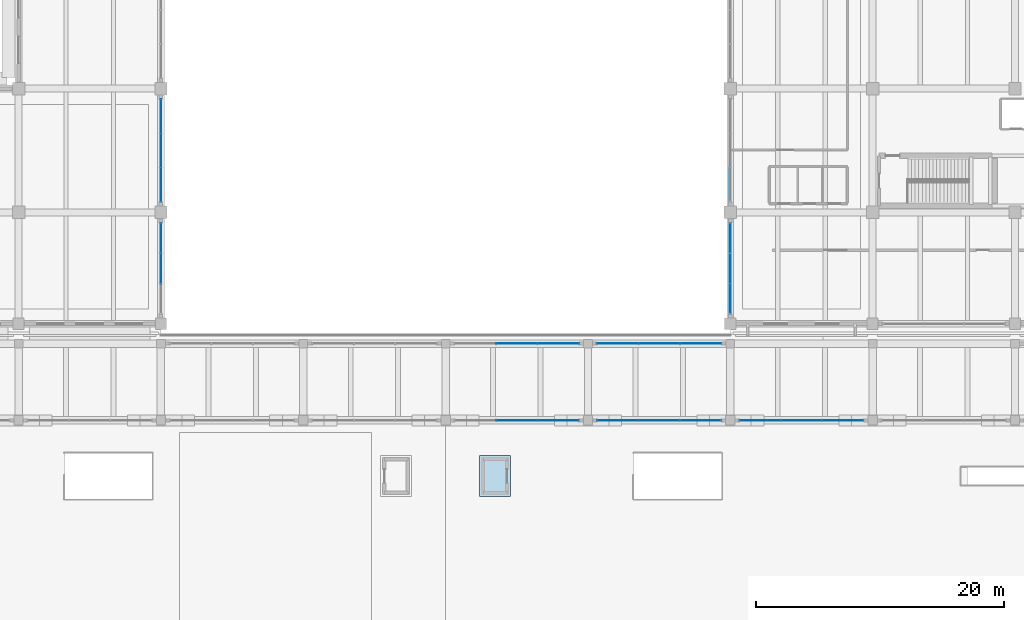
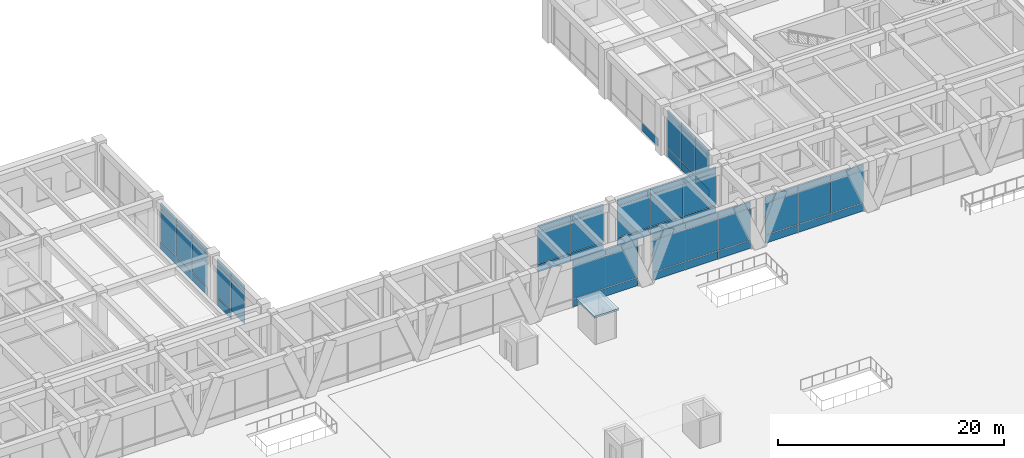
# One storey, part 119 of 148: 63 plates, 1 slab, 9 elements without a shape of their own.
"""IFC4 building model written with IfcOpenShell, lengths in metres."""

from ifc_helpers import new_model, si_unit, direction, frame, origin, origin_2d, place, context, subcontext, project, spatial, polyline, rectangle, outline, extrude, material, layer, layer_set, type_object, element, aggregate, save


model = new_model("IFC4")

# Units and contexts
model_context = context("Model", 3, precision=1e-05, world=origin(), true_north=direction((0.0, 1.0)))
body_context = subcontext(model_context, "Body", "Model", "MODEL_VIEW")
ifc_project = project(units=[si_unit("LENGTHUNIT", "METRE"), si_unit("AREAUNIT", "SQUARE_METRE"), si_unit("VOLUMEUNIT", "CUBIC_METRE"), si_unit("PLANEANGLEUNIT", "RADIAN"), si_unit("MASSUNIT", "GRAM", prefix="KILO")], contexts=[model_context])

# Site, building, storey
site_placement = place(None, origin())
site = spatial("IfcSite", under=ifc_project, at=site_placement, CompositionType="ELEMENT")
building_placement = place(site_placement, origin())
building = spatial("IfcBuilding", under=site, at=building_placement, Name="Ologun Quay Terminus", CompositionType="ELEMENT")
storey_placement = place(building_placement, frame((0.0, 0.0, 8.39990234375)))
storey = spatial("IfcBuildingStorey", under=building, at=storey_placement, Name="L02", CompositionType="ELEMENT", Elevation=8.39990234375)

# Curtain wall, plates
ifc_material_1 = material(Name="Aluminium 6063-T6", Category="aluminium")
curtain_wall_type_1 = type_object("IfcCurtainWallType", Name="Courtyard Overlook Concourse Curtain Wall 10700x4750", PredefinedType="USERDEFINED", material=ifc_material_1)
curtain_wall_1_placement = place(storey_placement, origin())
curtain_wall_1 = element("IfcCurtainWall", 1, at=curtain_wall_1_placement, inside=storey, type_object=curtain_wall_type_1, Name="CW-12 Curtain Wall CW-L02-082", ObjectType="UNITISED CURTAIN WALL", PredefinedType="USERDEFINED")
ifc_material_2 = material(Name="Aluminium 6063-T6", Category="aluminium")
ifc_layer_1 = layer(ifc_material_2, 0.06005859375)
ifc_layer_set_1 = layer_set([ifc_layer_1], Name="Aluminium 6063-T6")
plate_type_1 = type_object("IfcPlateType", Name="Anodised Bronze Spandrel Panel 60", PredefinedType="CURTAIN_PANEL", material=ifc_layer_set_1)
plate_1_placement = place(storey_placement, frame((97.75, 84.199951171875, 0.0302734375), z_axis=(0.0, 0.0, 1.0), x_axis=(1.0, 0.0, 0.0)))
plate_1 = element("IfcPlate", 2, at=plate_1_placement, type_object=plate_type_1, Name="CW-L02-082 Panel B2-1", PredefinedType="CURTAIN_PANEL", context=body_context, shape_type="SweptSolid", body=[
    extrude(rectangle(XDim=3.353271484375, YDim=0.06005859375, at=origin_2d()), origin(), (0.0, 0.0, 1.0), 0.840087890625),
])
plate_2_placement = place(storey_placement, frame((101.103271484375, 84.199951171875, 0.0302734375), z_axis=(0.0, 0.0, 1.0), x_axis=(1.0, 0.0, 0.0)))
plate_2 = element("IfcPlate", 3, at=plate_2_placement, type_object=plate_type_1, Name="CW-L02-082 Panel B3-1", PredefinedType="CURTAIN_PANEL", context=body_context, shape_type="SweptSolid", body=[
    extrude(rectangle(XDim=3.353271484375, YDim=0.06005859375, at=origin_2d()), origin(), (0.0, 0.0, 1.0), 0.840087890625),
])

curtain_wall_2_placement = place(storey_placement, origin())
curtain_wall_2 = element("IfcCurtainWall", 4, at=curtain_wall_2_placement, inside=storey, type_object=curtain_wall_type_1, Name="CW-12 Curtain Wall CW-L02-083", ObjectType="UNITISED CURTAIN WALL", PredefinedType="USERDEFINED")
plate_3_placement = place(storey_placement, frame((105.896728515625, 84.199951171875, 0.0302734375), z_axis=(0.0, 0.0, 1.0), x_axis=(1.0, 0.0, 0.0)))
plate_3 = element("IfcPlate", 5, at=plate_3_placement, type_object=plate_type_1, Name="CW-L02-083 Panel B1-1", PredefinedType="CURTAIN_PANEL", context=body_context, shape_type="SweptSolid", body=[
    extrude(rectangle(XDim=3.353271484375, YDim=0.06005859375, at=origin_2d()), origin(), (0.0, 0.0, 1.0), 0.840087890625),
])
plate_4_placement = place(storey_placement, frame((109.25, 84.199951171875, 0.0302734375), z_axis=(0.0, 0.0, 1.0), x_axis=(1.0, 0.0, 0.0)))
plate_4 = element("IfcPlate", 6, at=plate_4_placement, type_object=plate_type_1, Name="CW-L02-083 Panel B2-1", PredefinedType="CURTAIN_PANEL", context=body_context, shape_type="SweptSolid", body=[
    extrude(rectangle(XDim=3.353271484375, YDim=0.06005859375, at=origin_2d()), origin(), (0.0, 0.0, 1.0), 0.840087890625),
])
plate_5_placement = place(storey_placement, frame((112.603271484375, 84.199951171875, 0.0302734375), z_axis=(0.0, 0.0, 1.0), x_axis=(1.0, 0.0, 0.0)))
plate_5 = element("IfcPlate", 7, at=plate_5_placement, type_object=plate_type_1, Name="CW-L02-083 Panel B3-1", PredefinedType="CURTAIN_PANEL", context=body_context, shape_type="SweptSolid", body=[
    extrude(rectangle(XDim=3.353271484375, YDim=0.06005859375, at=origin_2d()), origin(), (0.0, 0.0, 1.0), 0.840087890625),
])

# Curtain wall, plate
ifc_material_3 = material(Name="Aluminium 6063-T6", Category="aluminium")
curtain_wall_type_2 = type_object("IfcCurtainWallType", Name="Rain-Garden West Courtyard Curtain Wall L02 8200x5000", PredefinedType="USERDEFINED", material=ifc_material_3)
curtain_wall_3_placement = place(storey_placement, origin())
curtain_wall_3 = element("IfcCurtainWall", 8, at=curtain_wall_3_placement, inside=storey, type_object=curtain_wall_type_2, Name="CW-15 Curtain Wall CW-L02-105", ObjectType="UNITISED CURTAIN WALL", PredefinedType="USERDEFINED")
plate_6_placement = place(storey_placement, frame((69.0, 92.711669921875, 0.0302734375), z_axis=(0.0, 0.0, 1.0), x_axis=(0.0, 1.0, 0.0)))
plate_6 = element("IfcPlate", 9, at=plate_6_placement, type_object=plate_type_1, Name="CW-L02-105 Panel B3-1", PredefinedType="CURTAIN_PANEL", context=body_context, shape_type="SweptSolid", body=[
    extrude(rectangle(XDim=2.436767578125, YDim=0.06005859375, at=origin_2d()), origin(), (0.0, 0.0, 1.0), 0.840087890625),
])

# Curtain wall, plates
curtain_wall_4_placement = place(storey_placement, origin())
curtain_wall_4 = element("IfcCurtainWall", 10, at=curtain_wall_4_placement, inside=storey, type_object=curtain_wall_type_2, Name="CW-15 Curtain Wall CW-L02-106", ObjectType="UNITISED CURTAIN WALL", PredefinedType="USERDEFINED")
plate_7_placement = place(storey_placement, frame((69.0, 97.046630859375, 0.0302734375), z_axis=(0.0, 0.0, 1.0), x_axis=(0.0, 1.0, 0.0)))
plate_7 = element("IfcPlate", 11, at=plate_7_placement, type_object=plate_type_1, Name="CW-L02-106 Panel B1-1", PredefinedType="CURTAIN_PANEL", context=body_context, shape_type="SweptSolid", body=[
    extrude(rectangle(XDim=2.75341796875, YDim=0.06005859375, at=origin_2d()), origin(), (0.0, 0.0, 1.0), 0.840087890625),
])
plate_8_placement = place(storey_placement, frame((69.0, 99.800048828125, 0.0302734375), z_axis=(0.0, 0.0, 1.0), x_axis=(0.0, 1.0, 0.0)))
plate_8 = element("IfcPlate", 12, at=plate_8_placement, type_object=plate_type_1, Name="CW-L02-106 Panel B2-1", PredefinedType="CURTAIN_PANEL", context=body_context, shape_type="SweptSolid", body=[
    extrude(rectangle(XDim=2.75341796875, YDim=0.06005859375, at=origin_2d()), origin(), (0.0, 0.0, 1.0), 0.840087890625),
])
plate_9_placement = place(storey_placement, frame((69.0, 102.55322265625, 0.0302734375), z_axis=(0.0, 0.0, 1.0), x_axis=(0.0, 1.0, 0.0)))
plate_9 = element("IfcPlate", 13, at=plate_9_placement, type_object=plate_type_1, Name="CW-L02-106 Panel B3-1", PredefinedType="CURTAIN_PANEL", context=body_context, shape_type="SweptSolid", body=[
    extrude(rectangle(XDim=2.75341796875, YDim=0.06005859375, at=origin_2d()), origin(), (0.0, 0.0, 1.0), 0.840087890625),
])

# Plate
ifc_material_4 = material(Name="Glass", Category="glass")
ifc_layer_2 = layer(ifc_material_4, 0.035888671875)
ifc_layer_set_2 = layer_set([ifc_layer_2], Name="Glass")
plate_type_2 = type_object("IfcPlateType", Name="High-Selectivity Harbour Glazed Panel 36", PredefinedType="CURTAIN_PANEL", material=ifc_layer_set_2)
plate_10_placement = place(storey_placement, frame((97.75, 84.199951171875, 0.93017578125), z_axis=(0.0, 0.0, 1.0), x_axis=(1.0, 0.0, 0.0)))
plate_10 = element("IfcPlate", 14, at=plate_10_placement, type_object=plate_type_2, Name="CW-L02-082 Panel B2-2", PredefinedType="CURTAIN_PANEL", context=body_context, shape_type="SweptSolid", body=[
    extrude(rectangle(XDim=3.353271484375, YDim=0.035888671875, at=origin_2d()), origin(), (0.0, 0.0, 1.0), 3.43994140625),
])

plate_11_placement = place(storey_placement, frame((97.75, 84.199951171875, 4.43017578125), z_axis=(0.0, 0.0, 1.0), x_axis=(1.0, 0.0, 0.0)))
plate_11 = element("IfcPlate", 15, at=plate_11_placement, type_object=plate_type_2, Name="CW-L02-082 Panel B2-3", PredefinedType="CURTAIN_PANEL", context=body_context, shape_type="SweptSolid", body=[
    extrude(rectangle(XDim=3.353271484375, YDim=0.035888671875, at=origin_2d()), origin(), (0.0, 0.0, 1.0), 0.639892578125),
])

plate_12_placement = place(storey_placement, frame((101.103271484375, 84.199951171875, 0.93017578125), z_axis=(0.0, 0.0, 1.0), x_axis=(1.0, 0.0, 0.0)))
plate_12 = element("IfcPlate", 16, at=plate_12_placement, type_object=plate_type_2, Name="CW-L02-082 Panel B3-2", PredefinedType="CURTAIN_PANEL", context=body_context, shape_type="SweptSolid", body=[
    extrude(rectangle(XDim=3.353271484375, YDim=0.035888671875, at=origin_2d()), origin(), (0.0, 0.0, 1.0), 3.43994140625),
])

plate_13_placement = place(storey_placement, frame((101.103271484375, 84.199951171875, 4.43017578125), z_axis=(0.0, 0.0, 1.0), x_axis=(1.0, 0.0, 0.0)))
plate_13 = element("IfcPlate", 17, at=plate_13_placement, type_object=plate_type_2, Name="CW-L02-082 Panel B3-3", PredefinedType="CURTAIN_PANEL", context=body_context, shape_type="SweptSolid", body=[
    extrude(rectangle(XDim=3.353271484375, YDim=0.035888671875, at=origin_2d()), origin(), (0.0, 0.0, 1.0), 0.639892578125),
])

aggregate(curtain_wall_1, [plate_1, plate_10, plate_11, plate_2, plate_12, plate_13])

plate_14_placement = place(storey_placement, frame((105.896728515625, 84.199951171875, 0.93017578125), z_axis=(0.0, 0.0, 1.0), x_axis=(1.0, 0.0, 0.0)))
plate_14 = element("IfcPlate", 18, at=plate_14_placement, type_object=plate_type_2, Name="CW-L02-083 Panel B1-2", PredefinedType="CURTAIN_PANEL", context=body_context, shape_type="SweptSolid", body=[
    extrude(rectangle(XDim=3.353271484375, YDim=0.035888671875, at=origin_2d()), origin(), (0.0, 0.0, 1.0), 3.43994140625),
])

plate_15_placement = place(storey_placement, frame((105.896728515625, 84.199951171875, 4.43017578125), z_axis=(0.0, 0.0, 1.0), x_axis=(1.0, 0.0, 0.0)))
plate_15 = element("IfcPlate", 19, at=plate_15_placement, type_object=plate_type_2, Name="CW-L02-083 Panel B1-3", PredefinedType="CURTAIN_PANEL", context=body_context, shape_type="SweptSolid", body=[
    extrude(rectangle(XDim=3.353271484375, YDim=0.035888671875, at=origin_2d()), origin(), (0.0, 0.0, 1.0), 0.639892578125),
])

plate_16_placement = place(storey_placement, frame((109.25, 84.199951171875, 0.93017578125), z_axis=(0.0, 0.0, 1.0), x_axis=(1.0, 0.0, 0.0)))
plate_16 = element("IfcPlate", 20, at=plate_16_placement, type_object=plate_type_2, Name="CW-L02-083 Panel B2-2", PredefinedType="CURTAIN_PANEL", context=body_context, shape_type="SweptSolid", body=[
    extrude(rectangle(XDim=3.353271484375, YDim=0.035888671875, at=origin_2d()), origin(), (0.0, 0.0, 1.0), 3.43994140625),
])

plate_17_placement = place(storey_placement, frame((109.25, 84.199951171875, 4.43017578125), z_axis=(0.0, 0.0, 1.0), x_axis=(1.0, 0.0, 0.0)))
plate_17 = element("IfcPlate", 21, at=plate_17_placement, type_object=plate_type_2, Name="CW-L02-083 Panel B2-3", PredefinedType="CURTAIN_PANEL", context=body_context, shape_type="SweptSolid", body=[
    extrude(rectangle(XDim=3.353271484375, YDim=0.035888671875, at=origin_2d()), origin(), (0.0, 0.0, 1.0), 0.639892578125),
])

plate_18_placement = place(storey_placement, frame((112.603271484375, 84.199951171875, 0.93017578125), z_axis=(0.0, 0.0, 1.0), x_axis=(1.0, 0.0, 0.0)))
plate_18 = element("IfcPlate", 22, at=plate_18_placement, type_object=plate_type_2, Name="CW-L02-083 Panel B3-2", PredefinedType="CURTAIN_PANEL", context=body_context, shape_type="SweptSolid", body=[
    extrude(rectangle(XDim=3.353271484375, YDim=0.035888671875, at=origin_2d()), origin(), (0.0, 0.0, 1.0), 3.43994140625),
])

plate_19_placement = place(storey_placement, frame((112.603271484375, 84.199951171875, 4.43017578125), z_axis=(0.0, 0.0, 1.0), x_axis=(1.0, 0.0, 0.0)))
plate_19 = element("IfcPlate", 23, at=plate_19_placement, type_object=plate_type_2, Name="CW-L02-083 Panel B3-3", PredefinedType="CURTAIN_PANEL", context=body_context, shape_type="SweptSolid", body=[
    extrude(rectangle(XDim=3.353271484375, YDim=0.035888671875, at=origin_2d()), origin(), (0.0, 0.0, 1.0), 0.639892578125),
])

aggregate(curtain_wall_2, [plate_3, plate_14, plate_15, plate_4, plate_16, plate_17, plate_5, plate_18, plate_19])

plate_20_placement = place(storey_placement, frame((69.0, 90.27490234375, 0.93017578125), z_axis=(0.0, 0.0, 1.0), x_axis=(0.0, 1.0, 0.0)))
plate_20 = element("IfcPlate", 24, at=plate_20_placement, type_object=plate_type_2, Name="CW-L02-105 Panel B2-2", PredefinedType="CURTAIN_PANEL", context=body_context, shape_type="SweptSolid", body=[
    extrude(rectangle(XDim=2.436767578125, YDim=0.035888671875, at=origin_2d()), origin(), (0.0, 0.0, 1.0), 3.469970703125),
])

plate_21_placement = place(storey_placement, frame((69.0, 90.27490234375, 4.4599609375), z_axis=(0.0, 0.0, 1.0), x_axis=(0.0, 1.0, 0.0)))
plate_21 = element("IfcPlate", 25, at=plate_21_placement, type_object=plate_type_2, Name="CW-L02-105 Panel B2-3", PredefinedType="CURTAIN_PANEL", context=body_context, shape_type="SweptSolid", body=[
    extrude(rectangle(XDim=2.436767578125, YDim=0.035888671875, at=origin_2d()), origin(), (0.0, 0.0, 1.0), 0.639892578125),
])

plate_22_placement = place(storey_placement, frame((69.0, 92.711669921875, 0.93017578125), z_axis=(0.0, 0.0, 1.0), x_axis=(0.0, 1.0, 0.0)))
plate_22 = element("IfcPlate", 26, at=plate_22_placement, type_object=plate_type_2, Name="CW-L02-105 Panel B3-2", PredefinedType="CURTAIN_PANEL", context=body_context, shape_type="SweptSolid", body=[
    extrude(rectangle(XDim=2.436767578125, YDim=0.035888671875, at=origin_2d()), origin(), (0.0, 0.0, 1.0), 3.469970703125),
])

plate_23_placement = place(storey_placement, frame((69.0, 92.711669921875, 4.4599609375), z_axis=(0.0, 0.0, 1.0), x_axis=(0.0, 1.0, 0.0)))
plate_23 = element("IfcPlate", 27, at=plate_23_placement, type_object=plate_type_2, Name="CW-L02-105 Panel B3-3", PredefinedType="CURTAIN_PANEL", context=body_context, shape_type="SweptSolid", body=[
    extrude(rectangle(XDim=2.436767578125, YDim=0.035888671875, at=origin_2d()), origin(), (0.0, 0.0, 1.0), 0.639892578125),
])

aggregate(curtain_wall_3, [plate_20, plate_21, plate_6, plate_22, plate_23])

plate_24_placement = place(storey_placement, frame((69.0, 97.046630859375, 0.93017578125), z_axis=(0.0, 0.0, 1.0), x_axis=(0.0, 1.0, 0.0)))
plate_24 = element("IfcPlate", 28, at=plate_24_placement, type_object=plate_type_2, Name="CW-L02-106 Panel B1-2", PredefinedType="CURTAIN_PANEL", context=body_context, shape_type="SweptSolid", body=[
    extrude(rectangle(XDim=2.75341796875, YDim=0.035888671875, at=origin_2d()), origin(), (0.0, 0.0, 1.0), 3.469970703125),
])

plate_25_placement = place(storey_placement, frame((69.0, 97.046630859375, 4.4599609375), z_axis=(0.0, 0.0, 1.0), x_axis=(0.0, 1.0, 0.0)))
plate_25 = element("IfcPlate", 29, at=plate_25_placement, type_object=plate_type_2, Name="CW-L02-106 Panel B1-3", PredefinedType="CURTAIN_PANEL", context=body_context, shape_type="SweptSolid", body=[
    extrude(rectangle(XDim=2.75341796875, YDim=0.035888671875, at=origin_2d()), origin(), (0.0, 0.0, 1.0), 0.639892578125),
])

plate_26_placement = place(storey_placement, frame((69.0, 99.800048828125, 0.93017578125), z_axis=(0.0, 0.0, 1.0), x_axis=(0.0, 1.0, 0.0)))
plate_26 = element("IfcPlate", 30, at=plate_26_placement, type_object=plate_type_2, Name="CW-L02-106 Panel B2-2", PredefinedType="CURTAIN_PANEL", context=body_context, shape_type="SweptSolid", body=[
    extrude(rectangle(XDim=2.75341796875, YDim=0.035888671875, at=origin_2d()), origin(), (0.0, 0.0, 1.0), 3.469970703125),
])

plate_27_placement = place(storey_placement, frame((69.0, 99.800048828125, 4.4599609375), z_axis=(0.0, 0.0, 1.0), x_axis=(0.0, 1.0, 0.0)))
plate_27 = element("IfcPlate", 31, at=plate_27_placement, type_object=plate_type_2, Name="CW-L02-106 Panel B2-3", PredefinedType="CURTAIN_PANEL", context=body_context, shape_type="SweptSolid", body=[
    extrude(rectangle(XDim=2.75341796875, YDim=0.035888671875, at=origin_2d()), origin(), (0.0, 0.0, 1.0), 0.639892578125),
])

plate_28_placement = place(storey_placement, frame((69.0, 102.55322265625, 0.93017578125), z_axis=(0.0, 0.0, 1.0), x_axis=(0.0, 1.0, 0.0)))
plate_28 = element("IfcPlate", 32, at=plate_28_placement, type_object=plate_type_2, Name="CW-L02-106 Panel B3-2", PredefinedType="CURTAIN_PANEL", context=body_context, shape_type="SweptSolid", body=[
    extrude(rectangle(XDim=2.75341796875, YDim=0.035888671875, at=origin_2d()), origin(), (0.0, 0.0, 1.0), 3.469970703125),
])

plate_29_placement = place(storey_placement, frame((69.0, 102.55322265625, 4.4599609375), z_axis=(0.0, 0.0, 1.0), x_axis=(0.0, 1.0, 0.0)))
plate_29 = element("IfcPlate", 33, at=plate_29_placement, type_object=plate_type_2, Name="CW-L02-106 Panel B3-3", PredefinedType="CURTAIN_PANEL", context=body_context, shape_type="SweptSolid", body=[
    extrude(rectangle(XDim=2.75341796875, YDim=0.035888671875, at=origin_2d()), origin(), (0.0, 0.0, 1.0), 0.639892578125),
])

aggregate(curtain_wall_4, [plate_7, plate_24, plate_25, plate_8, plate_26, plate_27, plate_9, plate_28, plate_29])

# Curtain wall, plates
ifc_material_5 = material(Name="Aluminium 6063-T6", Category="aluminium")
curtain_wall_type_3 = type_object("IfcCurtainWallType", Name="Rain-Garden East Courtyard Curtain Wall L02 9200x5000", PredefinedType="USERDEFINED", material=ifc_material_5)
curtain_wall_5_placement = place(storey_placement, origin())
curtain_wall_5 = element("IfcCurtainWall", 34, at=curtain_wall_5_placement, inside=storey, type_object=curtain_wall_type_3, Name="CW-19 Curtain Wall CW-L02-135", ObjectType="UNITISED CURTAIN WALL", PredefinedType="USERDEFINED")
plate_30_placement = place(storey_placement, frame((115.0, 87.83837890625, 0.93017578125), z_axis=(0.0, 0.0, 1.0), x_axis=(0.0, 1.0, 0.0)))
plate_30 = element("IfcPlate", 35, at=plate_30_placement, type_object=plate_type_2, Name="CW-L02-135 Panel B1-2", PredefinedType="CURTAIN_PANEL", context=body_context, shape_type="SweptSolid", body=[
    extrude(rectangle(XDim=2.436767578125, YDim=0.035888671875, at=origin_2d()), origin(), (0.0, 0.0, 1.0), 3.469970703125),
])
plate_31_placement = place(storey_placement, frame((115.0, 87.83837890625, 4.4599609375), z_axis=(0.0, 0.0, 1.0), x_axis=(0.0, 1.0, 0.0)))
plate_31 = element("IfcPlate", 36, at=plate_31_placement, type_object=plate_type_2, Name="CW-L02-135 Panel B1-3", PredefinedType="CURTAIN_PANEL", context=body_context, shape_type="SweptSolid", body=[
    extrude(rectangle(XDim=2.436767578125, YDim=0.035888671875, at=origin_2d()), origin(), (0.0, 0.0, 1.0), 0.639892578125),
])
plate_32_placement = place(storey_placement, frame((115.0, 90.27490234375, 0.93017578125), z_axis=(0.0, 0.0, 1.0), x_axis=(0.0, 1.0, 0.0)))
plate_32 = element("IfcPlate", 37, at=plate_32_placement, type_object=plate_type_2, Name="CW-L02-135 Panel B2-2", PredefinedType="CURTAIN_PANEL", context=body_context, shape_type="SweptSolid", body=[
    extrude(rectangle(XDim=2.436767578125, YDim=0.035888671875, at=origin_2d()), origin(), (0.0, 0.0, 1.0), 3.469970703125),
])
plate_33_placement = place(storey_placement, frame((115.0, 90.27490234375, 4.4599609375), z_axis=(0.0, 0.0, 1.0), x_axis=(0.0, 1.0, 0.0)))
plate_33 = element("IfcPlate", 38, at=plate_33_placement, type_object=plate_type_2, Name="CW-L02-135 Panel B2-3", PredefinedType="CURTAIN_PANEL", context=body_context, shape_type="SweptSolid", body=[
    extrude(rectangle(XDim=2.436767578125, YDim=0.035888671875, at=origin_2d()), origin(), (0.0, 0.0, 1.0), 0.639892578125),
])
plate_34_placement = place(storey_placement, frame((115.0, 92.711669921875, 0.93017578125), z_axis=(0.0, 0.0, 1.0), x_axis=(0.0, 1.0, 0.0)))
plate_34 = element("IfcPlate", 39, at=plate_34_placement, type_object=plate_type_2, Name="CW-L02-135 Panel B3-2", PredefinedType="CURTAIN_PANEL", context=body_context, shape_type="SweptSolid", body=[
    extrude(rectangle(XDim=2.436767578125, YDim=0.035888671875, at=origin_2d()), origin(), (0.0, 0.0, 1.0), 3.469970703125),
])
plate_35_placement = place(storey_placement, frame((115.0, 92.711669921875, 4.4599609375), z_axis=(0.0, 0.0, 1.0), x_axis=(0.0, 1.0, 0.0)))
plate_35 = element("IfcPlate", 40, at=plate_35_placement, type_object=plate_type_2, Name="CW-L02-135 Panel B3-3", PredefinedType="CURTAIN_PANEL", context=body_context, shape_type="SweptSolid", body=[
    extrude(rectangle(XDim=2.436767578125, YDim=0.035888671875, at=origin_2d()), origin(), (0.0, 0.0, 1.0), 0.639892578125),
])

ifc_material_6 = material(Name="Aluminium 6063-T6", Category="aluminium")
curtain_wall_type_4 = type_object("IfcCurtainWallType", Name="Train Shed North Clerestory Curtain Wall 10700x4850", PredefinedType="USERDEFINED", material=ifc_material_6)
curtain_wall_6_placement = place(storey_placement, origin())
curtain_wall_6 = element("IfcCurtainWall", 41, at=curtain_wall_6_placement, inside=storey, type_object=curtain_wall_type_4, Name="CW-09 Curtain Wall CW-L02-061", ObjectType="UNITISED CURTAIN WALL", PredefinedType="USERDEFINED")
ifc_material_7 = material(Name="Aluminium 6063-T6", Category="aluminium")
ifc_layer_3 = layer(ifc_material_7, 0.050048828125)
ifc_layer_set_3 = layer_set([ifc_layer_3], Name="Aluminium 6063-T6")
plate_type_3 = type_object("IfcPlateType", Name="Insulated Aluminium Shadow-Box Spandrel 50", PredefinedType="CURTAIN_PANEL", material=ifc_layer_set_3)
plate_36_placement = place(storey_placement, frame((97.75, 78.0, 0.0302734375), z_axis=(0.0, 0.0, 1.0), x_axis=(1.0, 0.0, 0.0)))
plate_36 = element("IfcPlate", 42, at=plate_36_placement, type_object=plate_type_3, Name="CW-L02-061 Panel B2-1", PredefinedType="CURTAIN_PANEL", context=body_context, shape_type="SweptSolid", body=[
    extrude(rectangle(XDim=3.336669921875, YDim=0.050048828125, at=origin_2d()), origin(), (0.0, 0.0, 1.0), 0.840087890625),
])
plate_37_placement = place(storey_placement, frame((101.086669921875, 78.0, 0.0302734375), z_axis=(0.0, 0.0, 1.0), x_axis=(1.0, 0.0, 0.0)))
plate_37 = element("IfcPlate", 43, at=plate_37_placement, type_object=plate_type_3, Name="CW-L02-061 Panel B3-1", PredefinedType="CURTAIN_PANEL", context=body_context, shape_type="SweptSolid", body=[
    extrude(rectangle(XDim=3.336669921875, YDim=0.050048828125, at=origin_2d()), origin(), (0.0, 0.0, 1.0), 0.840087890625),
])

curtain_wall_7_placement = place(storey_placement, origin())
curtain_wall_7 = element("IfcCurtainWall", 44, at=curtain_wall_7_placement, inside=storey, type_object=curtain_wall_type_4, Name="CW-09 Curtain Wall CW-L02-063", ObjectType="UNITISED CURTAIN WALL", PredefinedType="USERDEFINED")
plate_38_placement = place(storey_placement, frame((105.913330078125, 78.0, 0.0302734375), z_axis=(0.0, 0.0, 1.0), x_axis=(1.0, 0.0, 0.0)))
plate_38 = element("IfcPlate", 45, at=plate_38_placement, type_object=plate_type_3, Name="CW-L02-063 Panel B1-1", PredefinedType="CURTAIN_PANEL", context=body_context, shape_type="SweptSolid", body=[
    extrude(rectangle(XDim=3.336669921875, YDim=0.050048828125, at=origin_2d()), origin(), (0.0, 0.0, 1.0), 0.840087890625),
])
plate_39_placement = place(storey_placement, frame((109.25, 78.0, 0.0302734375), z_axis=(0.0, 0.0, 1.0), x_axis=(1.0, 0.0, 0.0)))
plate_39 = element("IfcPlate", 46, at=plate_39_placement, type_object=plate_type_3, Name="CW-L02-063 Panel B2-1", PredefinedType="CURTAIN_PANEL", context=body_context, shape_type="SweptSolid", body=[
    extrude(rectangle(XDim=3.336669921875, YDim=0.050048828125, at=origin_2d()), origin(), (0.0, 0.0, 1.0), 0.840087890625),
])
plate_40_placement = place(storey_placement, frame((112.586669921875, 78.0, 0.0302734375), z_axis=(0.0, 0.0, 1.0), x_axis=(1.0, 0.0, 0.0)))
plate_40 = element("IfcPlate", 47, at=plate_40_placement, type_object=plate_type_3, Name="CW-L02-063 Panel B3-1", PredefinedType="CURTAIN_PANEL", context=body_context, shape_type="SweptSolid", body=[
    extrude(rectangle(XDim=3.336669921875, YDim=0.050048828125, at=origin_2d()), origin(), (0.0, 0.0, 1.0), 0.840087890625),
])

curtain_wall_8_placement = place(storey_placement, origin())
curtain_wall_8 = element("IfcCurtainWall", 48, at=curtain_wall_8_placement, inside=storey, type_object=curtain_wall_type_4, Name="CW-09 Curtain Wall CW-L02-065", ObjectType="UNITISED CURTAIN WALL", PredefinedType="USERDEFINED")
plate_41_placement = place(storey_placement, frame((117.413330078125, 78.0, 0.0302734375), z_axis=(0.0, 0.0, 1.0), x_axis=(1.0, 0.0, 0.0)))
plate_41 = element("IfcPlate", 49, at=plate_41_placement, type_object=plate_type_3, Name="CW-L02-065 Panel B1-1", PredefinedType="CURTAIN_PANEL", context=body_context, shape_type="SweptSolid", body=[
    extrude(rectangle(XDim=3.336669921875, YDim=0.050048828125, at=origin_2d()), origin(), (0.0, 0.0, 1.0), 0.840087890625),
])
plate_42_placement = place(storey_placement, frame((120.75, 78.0, 0.0302734375), z_axis=(0.0, 0.0, 1.0), x_axis=(1.0, 0.0, 0.0)))
plate_42 = element("IfcPlate", 50, at=plate_42_placement, type_object=plate_type_3, Name="CW-L02-065 Panel B2-1", PredefinedType="CURTAIN_PANEL", context=body_context, shape_type="SweptSolid", body=[
    extrude(rectangle(XDim=3.336669921875, YDim=0.050048828125, at=origin_2d()), origin(), (0.0, 0.0, 1.0), 0.840087890625),
])
plate_43_placement = place(storey_placement, frame((124.086669921875, 78.0, 0.0302734375), z_axis=(0.0, 0.0, 1.0), x_axis=(1.0, 0.0, 0.0)))
plate_43 = element("IfcPlate", 51, at=plate_43_placement, type_object=plate_type_3, Name="CW-L02-065 Panel B3-1", PredefinedType="CURTAIN_PANEL", context=body_context, shape_type="SweptSolid", body=[
    extrude(rectangle(XDim=3.336669921875, YDim=0.050048828125, at=origin_2d()), origin(), (0.0, 0.0, 1.0), 0.840087890625),
])

# Plate
plate_44_placement = place(storey_placement, frame((115.0, 87.83837890625, 0.0302734375), z_axis=(0.0, 0.0, 1.0), x_axis=(0.0, 1.0, 0.0)))
plate_44 = element("IfcPlate", 52, at=plate_44_placement, type_object=plate_type_3, Name="CW-L02-135 Panel B1-1", PredefinedType="CURTAIN_PANEL", context=body_context, shape_type="SweptSolid", body=[
    extrude(rectangle(XDim=2.436767578125, YDim=0.050048828125, at=origin_2d()), origin(), (0.0, 0.0, 1.0), 0.840087890625),
])

plate_45_placement = place(storey_placement, frame((115.0, 90.27490234375, 0.0302734375), z_axis=(0.0, 0.0, 1.0), x_axis=(0.0, 1.0, 0.0)))
plate_45 = element("IfcPlate", 53, at=plate_45_placement, type_object=plate_type_3, Name="CW-L02-135 Panel B2-1", PredefinedType="CURTAIN_PANEL", context=body_context, shape_type="SweptSolid", body=[
    extrude(rectangle(XDim=2.436767578125, YDim=0.050048828125, at=origin_2d()), origin(), (0.0, 0.0, 1.0), 0.840087890625),
])

plate_46_placement = place(storey_placement, frame((115.0, 92.711669921875, 0.0302734375), z_axis=(0.0, 0.0, 1.0), x_axis=(0.0, 1.0, 0.0)))
plate_46 = element("IfcPlate", 54, at=plate_46_placement, type_object=plate_type_3, Name="CW-L02-135 Panel B3-1", PredefinedType="CURTAIN_PANEL", context=body_context, shape_type="SweptSolid", body=[
    extrude(rectangle(XDim=2.436767578125, YDim=0.050048828125, at=origin_2d()), origin(), (0.0, 0.0, 1.0), 0.840087890625),
])

aggregate(curtain_wall_5, [plate_44, plate_30, plate_31, plate_45, plate_32, plate_33, plate_46, plate_34, plate_35])

# Curtain wall, plate
curtain_wall_9_placement = place(storey_placement, origin())
curtain_wall_9 = element("IfcCurtainWall", 55, at=curtain_wall_9_placement, inside=storey, type_object=curtain_wall_type_3, Name="CW-19 Curtain Wall CW-L02-136", ObjectType="UNITISED CURTAIN WALL", PredefinedType="USERDEFINED")
plate_47_placement = place(storey_placement, frame((115.0, 97.046630859375, 0.0302734375), z_axis=(0.0, 0.0, 1.0), x_axis=(0.0, 1.0, 0.0)))
plate_47 = element("IfcPlate", 56, at=plate_47_placement, type_object=plate_type_3, Name="CW-L02-136 Panel B1-1", PredefinedType="CURTAIN_PANEL", context=body_context, shape_type="SweptSolid", body=[
    extrude(rectangle(XDim=2.75341796875, YDim=0.050048828125, at=origin_2d()), origin(), (0.0, 0.0, 1.0), 0.840087890625),
])
aggregate(curtain_wall_9, [plate_47])

# Slab
ifc_material_8 = material(Name="Concrete C40/50", Category="concrete")
ifc_layer_4 = layer(ifc_material_8, 0.199951171875)
ifc_layer_set_4 = layer_set([ifc_layer_4], Name="Concrete C40/50")
slab_type = type_object("IfcSlabType", Name="Pitched Overhanging Concrete Roof Slab 200", PredefinedType="ROOF", material=ifc_layer_set_4)
slab_placement = place(storey_placement, frame((0.0, 0.0, 3.0)))
element("IfcSlab", 57, at=slab_placement, inside=storey, type_object=slab_type, Name="SL-RF Platform Lift Overrun Cap 4", PredefinedType="ROOF", context=body_context, shape_type="SweptSolid", body=[
    extrude(outline(polyline([(97.25, 71.85009765625), (97.25, 75.14990234375), (94.75, 75.14990234375), (94.75, 71.85009765625), (97.25, 71.85009765625)])), origin(), (0.0, 0.0, 1.0), 0.2001953125),
])

# Plate
ifc_material_9 = material(Name="Glass", Category="glass")
ifc_layer_5 = layer(ifc_material_9, 0.028076171875)
ifc_layer_set_5 = layer_set([ifc_layer_5], Name="Glass")
plate_type_4 = type_object("IfcPlateType", Name="Solar-Control Double Glazed Panel 28", PredefinedType="CURTAIN_PANEL", material=ifc_layer_set_5)
plate_48_placement = place(storey_placement, frame((97.75, 78.0, 0.93017578125), z_axis=(0.0, 0.0, 1.0), x_axis=(1.0, 0.0, 0.0)))
plate_48 = element("IfcPlate", 58, at=plate_48_placement, type_object=plate_type_4, Name="CW-L02-061 Panel B2-2", PredefinedType="CURTAIN_PANEL", context=body_context, shape_type="SweptSolid", body=[
    extrude(rectangle(XDim=3.336669921875, YDim=0.028076171875, at=origin_2d()), origin(), (0.0, 0.0, 1.0), 3.43994140625),
])

plate_49_placement = place(storey_placement, frame((97.75, 78.0, 4.43017578125), z_axis=(0.0, 0.0, 1.0), x_axis=(1.0, 0.0, 0.0)))
plate_49 = element("IfcPlate", 59, at=plate_49_placement, type_object=plate_type_4, Name="CW-L02-061 Panel B2-3", PredefinedType="CURTAIN_PANEL", context=body_context, shape_type="SweptSolid", body=[
    extrude(rectangle(XDim=3.336669921875, YDim=0.028076171875, at=origin_2d()), origin(), (0.0, 0.0, 1.0), 0.639892578125),
])

plate_50_placement = place(storey_placement, frame((101.086669921875, 78.0, 0.93017578125), z_axis=(0.0, 0.0, 1.0), x_axis=(1.0, 0.0, 0.0)))
plate_50 = element("IfcPlate", 60, at=plate_50_placement, type_object=plate_type_4, Name="CW-L02-061 Panel B3-2", PredefinedType="CURTAIN_PANEL", context=body_context, shape_type="SweptSolid", body=[
    extrude(rectangle(XDim=3.336669921875, YDim=0.028076171875, at=origin_2d()), origin(), (0.0, 0.0, 1.0), 3.43994140625),
])

plate_51_placement = place(storey_placement, frame((101.086669921875, 78.0, 4.43017578125), z_axis=(0.0, 0.0, 1.0), x_axis=(1.0, 0.0, 0.0)))
plate_51 = element("IfcPlate", 61, at=plate_51_placement, type_object=plate_type_4, Name="CW-L02-061 Panel B3-3", PredefinedType="CURTAIN_PANEL", context=body_context, shape_type="SweptSolid", body=[
    extrude(rectangle(XDim=3.336669921875, YDim=0.028076171875, at=origin_2d()), origin(), (0.0, 0.0, 1.0), 0.639892578125),
])

aggregate(curtain_wall_6, [plate_36, plate_48, plate_49, plate_37, plate_50, plate_51])

plate_52_placement = place(storey_placement, frame((105.913330078125, 78.0, 0.93017578125), z_axis=(0.0, 0.0, 1.0), x_axis=(1.0, 0.0, 0.0)))
plate_52 = element("IfcPlate", 62, at=plate_52_placement, type_object=plate_type_4, Name="CW-L02-063 Panel B1-2", PredefinedType="CURTAIN_PANEL", context=body_context, shape_type="SweptSolid", body=[
    extrude(rectangle(XDim=3.336669921875, YDim=0.028076171875, at=origin_2d()), origin(), (0.0, 0.0, 1.0), 3.43994140625),
])

plate_53_placement = place(storey_placement, frame((105.913330078125, 78.0, 4.43017578125), z_axis=(0.0, 0.0, 1.0), x_axis=(1.0, 0.0, 0.0)))
plate_53 = element("IfcPlate", 63, at=plate_53_placement, type_object=plate_type_4, Name="CW-L02-063 Panel B1-3", PredefinedType="CURTAIN_PANEL", context=body_context, shape_type="SweptSolid", body=[
    extrude(rectangle(XDim=3.336669921875, YDim=0.028076171875, at=origin_2d()), origin(), (0.0, 0.0, 1.0), 0.639892578125),
])

plate_54_placement = place(storey_placement, frame((109.25, 78.0, 0.93017578125), z_axis=(0.0, 0.0, 1.0), x_axis=(1.0, 0.0, 0.0)))
plate_54 = element("IfcPlate", 64, at=plate_54_placement, type_object=plate_type_4, Name="CW-L02-063 Panel B2-2", PredefinedType="CURTAIN_PANEL", context=body_context, shape_type="SweptSolid", body=[
    extrude(rectangle(XDim=3.336669921875, YDim=0.028076171875, at=origin_2d()), origin(), (0.0, 0.0, 1.0), 3.43994140625),
])

plate_55_placement = place(storey_placement, frame((109.25, 78.0, 4.43017578125), z_axis=(0.0, 0.0, 1.0), x_axis=(1.0, 0.0, 0.0)))
plate_55 = element("IfcPlate", 65, at=plate_55_placement, type_object=plate_type_4, Name="CW-L02-063 Panel B2-3", PredefinedType="CURTAIN_PANEL", context=body_context, shape_type="SweptSolid", body=[
    extrude(rectangle(XDim=3.336669921875, YDim=0.028076171875, at=origin_2d()), origin(), (0.0, 0.0, 1.0), 0.639892578125),
])

plate_56_placement = place(storey_placement, frame((112.586669921875, 78.0, 0.93017578125), z_axis=(0.0, 0.0, 1.0), x_axis=(1.0, 0.0, 0.0)))
plate_56 = element("IfcPlate", 66, at=plate_56_placement, type_object=plate_type_4, Name="CW-L02-063 Panel B3-2", PredefinedType="CURTAIN_PANEL", context=body_context, shape_type="SweptSolid", body=[
    extrude(rectangle(XDim=3.336669921875, YDim=0.028076171875, at=origin_2d()), origin(), (0.0, 0.0, 1.0), 3.43994140625),
])

plate_57_placement = place(storey_placement, frame((112.586669921875, 78.0, 4.43017578125), z_axis=(0.0, 0.0, 1.0), x_axis=(1.0, 0.0, 0.0)))
plate_57 = element("IfcPlate", 67, at=plate_57_placement, type_object=plate_type_4, Name="CW-L02-063 Panel B3-3", PredefinedType="CURTAIN_PANEL", context=body_context, shape_type="SweptSolid", body=[
    extrude(rectangle(XDim=3.336669921875, YDim=0.028076171875, at=origin_2d()), origin(), (0.0, 0.0, 1.0), 0.639892578125),
])

aggregate(curtain_wall_7, [plate_38, plate_52, plate_53, plate_39, plate_54, plate_55, plate_40, plate_56, plate_57])

plate_58_placement = place(storey_placement, frame((117.413330078125, 78.0, 0.93017578125), z_axis=(0.0, 0.0, 1.0), x_axis=(1.0, 0.0, 0.0)))
plate_58 = element("IfcPlate", 68, at=plate_58_placement, type_object=plate_type_4, Name="CW-L02-065 Panel B1-2", PredefinedType="CURTAIN_PANEL", context=body_context, shape_type="SweptSolid", body=[
    extrude(rectangle(XDim=3.336669921875, YDim=0.028076171875, at=origin_2d()), origin(), (0.0, 0.0, 1.0), 3.43994140625),
])

plate_59_placement = place(storey_placement, frame((117.413330078125, 78.0, 4.43017578125), z_axis=(0.0, 0.0, 1.0), x_axis=(1.0, 0.0, 0.0)))
plate_59 = element("IfcPlate", 69, at=plate_59_placement, type_object=plate_type_4, Name="CW-L02-065 Panel B1-3", PredefinedType="CURTAIN_PANEL", context=body_context, shape_type="SweptSolid", body=[
    extrude(rectangle(XDim=3.336669921875, YDim=0.028076171875, at=origin_2d()), origin(), (0.0, 0.0, 1.0), 0.639892578125),
])

plate_60_placement = place(storey_placement, frame((120.75, 78.0, 0.93017578125), z_axis=(0.0, 0.0, 1.0), x_axis=(1.0, 0.0, 0.0)))
plate_60 = element("IfcPlate", 70, at=plate_60_placement, type_object=plate_type_4, Name="CW-L02-065 Panel B2-2", PredefinedType="CURTAIN_PANEL", context=body_context, shape_type="SweptSolid", body=[
    extrude(rectangle(XDim=3.336669921875, YDim=0.028076171875, at=origin_2d()), origin(), (0.0, 0.0, 1.0), 3.43994140625),
])

plate_61_placement = place(storey_placement, frame((120.75, 78.0, 4.43017578125), z_axis=(0.0, 0.0, 1.0), x_axis=(1.0, 0.0, 0.0)))
plate_61 = element("IfcPlate", 71, at=plate_61_placement, type_object=plate_type_4, Name="CW-L02-065 Panel B2-3", PredefinedType="CURTAIN_PANEL", context=body_context, shape_type="SweptSolid", body=[
    extrude(rectangle(XDim=3.336669921875, YDim=0.028076171875, at=origin_2d()), origin(), (0.0, 0.0, 1.0), 0.639892578125),
])

plate_62_placement = place(storey_placement, frame((124.086669921875, 78.0, 0.93017578125), z_axis=(0.0, 0.0, 1.0), x_axis=(1.0, 0.0, 0.0)))
plate_62 = element("IfcPlate", 72, at=plate_62_placement, type_object=plate_type_4, Name="CW-L02-065 Panel B3-2", PredefinedType="CURTAIN_PANEL", context=body_context, shape_type="SweptSolid", body=[
    extrude(rectangle(XDim=3.336669921875, YDim=0.028076171875, at=origin_2d()), origin(), (0.0, 0.0, 1.0), 3.43994140625),
])

plate_63_placement = place(storey_placement, frame((124.086669921875, 78.0, 4.43017578125), z_axis=(0.0, 0.0, 1.0), x_axis=(1.0, 0.0, 0.0)))
plate_63 = element("IfcPlate", 73, at=plate_63_placement, type_object=plate_type_4, Name="CW-L02-065 Panel B3-3", PredefinedType="CURTAIN_PANEL", context=body_context, shape_type="SweptSolid", body=[
    extrude(rectangle(XDim=3.336669921875, YDim=0.028076171875, at=origin_2d()), origin(), (0.0, 0.0, 1.0), 0.639892578125),
])

aggregate(curtain_wall_8, [plate_41, plate_58, plate_59, plate_42, plate_60, plate_61, plate_43, plate_62, plate_63])

save(model, "model.ifc")
